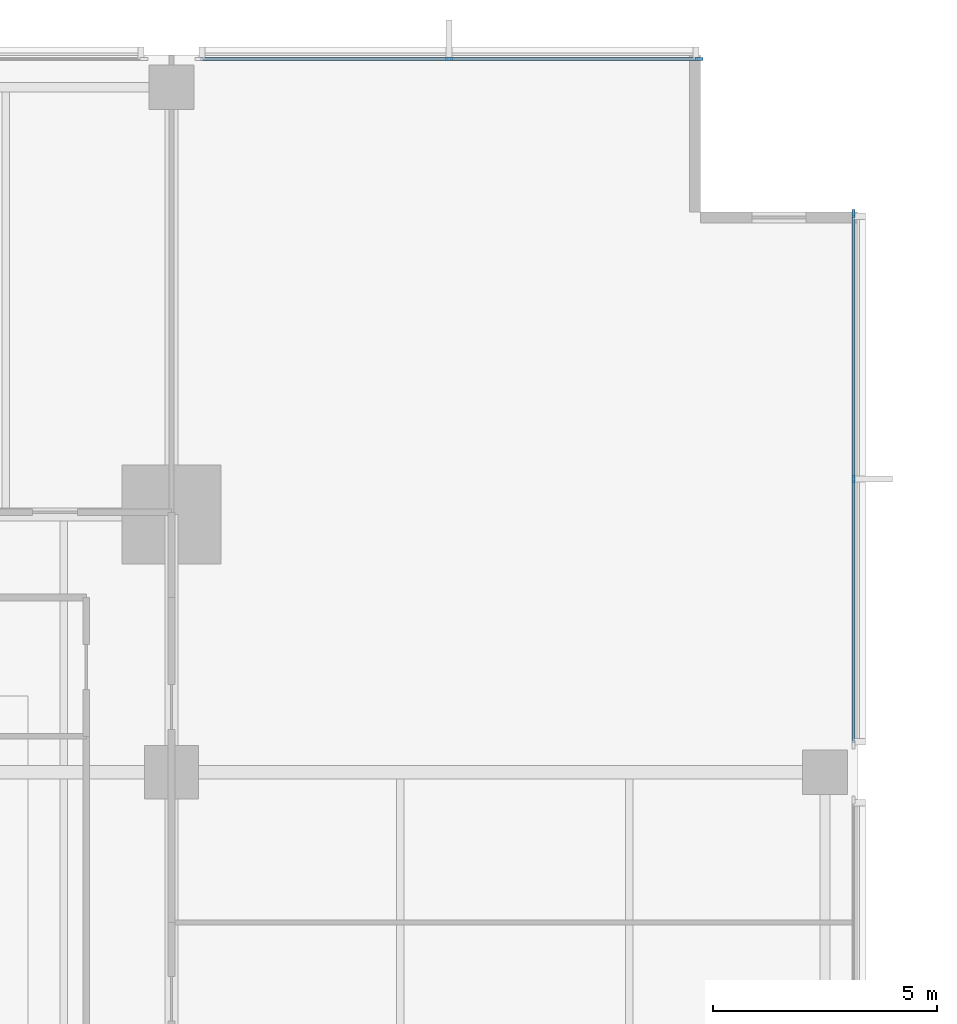
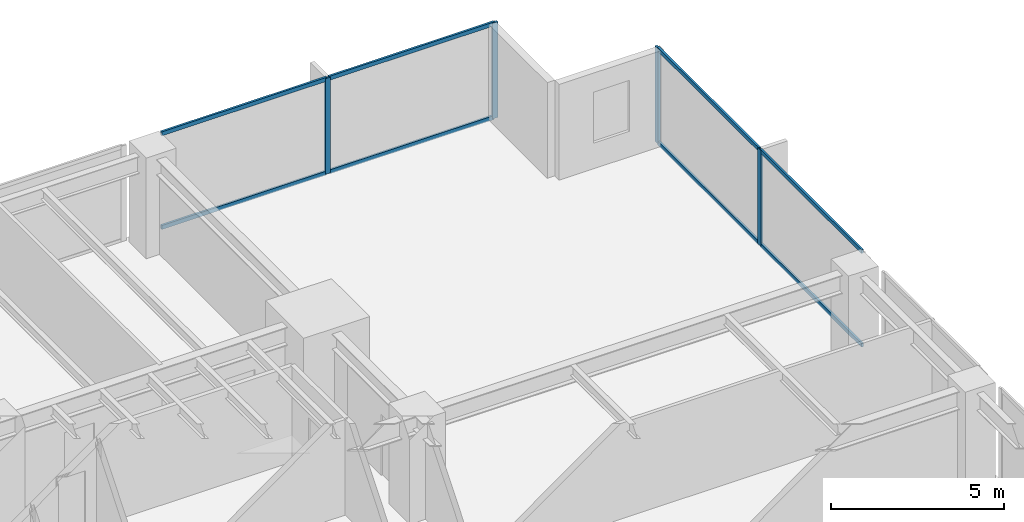
# One storey, part 6 of 15: 12 members, 2 elements without a shape of their own.
"""IFC4 building model written with IfcOpenShell, lengths in metres."""

import ifcopenshell
import ifcopenshell.guid

model = None  # the IFC model being written
_history = None  # IfcOwnerHistory: only IFC2X3 demands one
_inside = {}  # id of a spatial element -> (the spatial element, [elements in it])
_under = {}  # id of a project, library or spatial element -> (it, [spatial elements below it])
_declared = {}  # id of a project -> (the project, [libraries it declares])
_typed = {}  # id of a type object -> (the type object, [elements of that type])
_made_of = {}  # id of a material, layer set ... -> (it, [elements and type objects made of it])


def new_model(schema):
    """Start an empty IFC model of exactly this schema.

    Asked for "IFC4X3", IfcOpenShell would pick the latest addendum, in which some entities
    have other attributes; the version numbers below select the first issue.
    IFC2X3 requires an IfcOwnerHistory on every rooted entity: one is made here for all.
    """
    global model, _history
    if schema == "IFC4X3":
        model = ifcopenshell.file(schema_version=(4, 3, 0, 0))
    else:
        model = ifcopenshell.file(schema=schema)
    _inside.clear()
    _under.clear()
    _declared.clear()
    _typed.clear()
    _made_of.clear()
    _history = None
    if model.schema == "IFC2X3":
        org = make("IfcOrganization", Name="unknown")
        user = make(
            "IfcPersonAndOrganization",
            ThePerson=make("IfcPerson", FamilyName="unknown"),
            TheOrganization=org,
        )
        app = make(
            "IfcApplication",
            ApplicationDeveloper=org,
            Version="unknown",
            ApplicationFullName="unknown",
            ApplicationIdentifier="unknown",
        )
        _history = make(
            "IfcOwnerHistory",
            OwningUser=user,
            OwningApplication=app,
            ChangeAction="ADDED",
            CreationDate=0,
        )
    return model


def make(cls, **values):
    """One entity of the class cls with the attributes given. An attribute that is None is left unset."""
    return model.create_entity(
        cls, **{name: value for name, value in values.items() if value is not None}
    )


def rooted(cls, **values):
    """An entity with a GlobalId (a new one), such as an element, a storey or a relation."""
    return make(cls, GlobalId=ifcopenshell.guid.new(), OwnerHistory=_history, **values)


def si_unit(unit_type, name, prefix=None):
    """IfcSIUnit, for example si_unit("LENGTHUNIT", "METRE", prefix="MILLI")."""
    return make("IfcSIUnit", UnitType=unit_type, Prefix=prefix, Name=name)


def assignment(units):
    """IfcUnitAssignment: the units of a project."""
    return None if units is None else make("IfcUnitAssignment", Units=units)


def point(xyz):
    """IfcCartesianPoint."""
    return None if xyz is None else make("IfcCartesianPoint", Coordinates=xyz)


def direction(xyz):
    """IfcDirection."""
    return None if xyz is None else make("IfcDirection", DirectionRatios=xyz)


def frame(location, z_axis=None, x_axis=None):
    """IfcAxis2Placement3D, a coordinate frame: its origin and axes. An axis left out is left unset."""
    return make(
        "IfcAxis2Placement3D",
        Location=point(location),
        Axis=direction(z_axis),
        RefDirection=direction(x_axis),
    )


def frame_2d(location, x_axis=None):
    """IfcAxis2Placement2D, a coordinate frame in the plane: its origin and x axis."""
    return make(
        "IfcAxis2Placement2D", Location=point(location), RefDirection=direction(x_axis)
    )


def origin():
    """The frame at (0, 0, 0) with its axes left unset."""
    return frame((0.0, 0.0, 0.0))


def origin_2d():
    """The frame at (0, 0) in the plane with its x axis left unset."""
    return frame_2d((0.0, 0.0))


def place(relative_to, where):
    """IfcLocalPlacement: puts the frame where relative to a parent placement (None: the world)."""
    return make(
        "IfcLocalPlacement", PlacementRelTo=relative_to, RelativePlacement=where
    )


def context(
    kind, dimensions, precision=None, world=None, true_north=None, identifier=None
):
    """IfcGeometricRepresentationContext, for example the 3D "Model" context."""
    return make(
        "IfcGeometricRepresentationContext",
        ContextIdentifier=identifier,
        ContextType=kind,
        CoordinateSpaceDimension=dimensions,
        Precision=precision,
        WorldCoordinateSystem=world,
        TrueNorth=true_north,
    )


def subcontext(parent, identifier, kind, view, scale=None):
    """IfcGeometricRepresentationSubContext, for example "Body" below "Model"."""
    return make(
        "IfcGeometricRepresentationSubContext",
        ContextIdentifier=identifier,
        ContextType=kind,
        ParentContext=parent,
        TargetScale=scale,
        TargetView=view,
    )


def project(units=None, contexts=None):
    """IfcProject with its units and contexts."""
    return rooted(
        "IfcProject",
        Name="project",
        RepresentationContexts=contexts,
        UnitsInContext=assignment(units),
    )


def spatial(cls, under=None, at=None, **own):
    """A site, building, storey or space (cls), placed at a placement, below another one or the project."""
    s = rooted(cls, ObjectPlacement=at, **own)
    if under is not None:
        _under.setdefault(under.id(), (under, []))[1].append(s)
    return s


def profile(cls, at=None, kind="AREA", **sizes):
    """A parametric profile (cls). Its sizes go by their IFC names, for example OverallWidth=200.0."""
    return make(cls, ProfileType=kind, Position=at, **sizes)


def rectangle(**sizes):
    """IfcRectangleProfileDef."""
    return profile("IfcRectangleProfileDef", **sizes)


def extrude(swept, where, along, depth):
    """IfcExtrudedAreaSolid: the profile swept, set in the frame where, extruded along a direction by depth."""
    return make(
        "IfcExtrudedAreaSolid",
        SweptArea=swept,
        Position=where,
        ExtrudedDirection=direction(along),
        Depth=depth,
    )


def shape(context_of_items, identifier, shape_type, items):
    """IfcShapeRepresentation: the items that make up one representation, for example the "Body"."""
    return make(
        "IfcShapeRepresentation",
        ContextOfItems=context_of_items,
        RepresentationIdentifier=identifier,
        RepresentationType=shape_type,
        Items=items,
    )


def material(Name=None, Category=None):
    """IfcMaterial."""
    return make("IfcMaterial", Name=Name, Category=Category)


def layer(
    of_material, thickness, ventilated=None, Name=None, Category=None, Priority=None
):
    """IfcMaterialLayer: one layer of a wall or slab, of a material (None: an air gap)."""
    return make(
        "IfcMaterialLayer",
        Material=of_material,
        LayerThickness=thickness,
        IsVentilated=ventilated,
        Name=Name,
        Category=Category,
        Priority=Priority,
    )


def layer_set(layers, Name=None):
    """IfcMaterialLayerSet."""
    return make("IfcMaterialLayerSet", MaterialLayers=layers, LayerSetName=Name)


def material_profile(
    of_material, cross_section, Name=None, Category=None, Priority=None
):
    """IfcMaterialProfile: a cross section and its material."""
    return make(
        "IfcMaterialProfile",
        Name=Name,
        Material=of_material,
        Profile=cross_section,
        Priority=Priority,
        Category=Category,
    )


def profile_set(profiles, Name=None, composite=None):
    """IfcMaterialProfileSet."""
    return make(
        "IfcMaterialProfileSet",
        Name=Name,
        MaterialProfiles=profiles,
        CompositeProfile=composite,
    )


def made_of(thing, what):
    """Note that an element or type object is made of a material, layer set ...; save() writes the relation."""
    if what is not None:
        _made_of.setdefault(what.id(), (what, []))[1].append(thing)
    return thing


def type_object(cls, material=None, **own):
    """A type object (cls), such as IfcWallType, which elements share."""
    return made_of(rooted(cls, **own), material)


def element(
    cls,
    number,
    at=None,
    inside=None,
    cuts=None,
    type_object=None,
    material=None,
    context=None,
    identifier="Body",
    shape_type=None,
    held_by="IfcProductDefinitionShape",
    body=None,
    shapes=None,
    **own,
):
    """One element of the class cls, such as IfcWall. Its Tag is "e" and its number.

    at: its placement. inside: the storey or other place that contains it. cuts: it is an
    opening in that element (IfcRelVoidsElement). A single representation is given by context,
    identifier, shape_type and body (its items); several are given by shapes. held_by: the class
    of the entity that holds the representations. save() writes the other relations.
    """
    e = rooted(cls, Tag="e%d" % number, ObjectPlacement=at, **own)
    if body is not None:
        shapes = [shape(context, identifier, shape_type, body)]
    if shapes is not None:
        e.Representation = make(held_by, Representations=shapes)
    if inside is not None:
        _inside.setdefault(inside.id(), (inside, []))[1].append(e)
    if cuts is not None:
        rooted(
            "IfcRelVoidsElement", RelatingBuildingElement=cuts, RelatedOpeningElement=e
        )
    if type_object is not None:
        _typed.setdefault(type_object.id(), (type_object, []))[1].append(e)
    return made_of(e, material)


def aggregate(whole, parts):
    """IfcRelAggregates: a whole, such as a stair, and the parts it consists of."""
    return rooted("IfcRelAggregates", RelatingObject=whole, RelatedObjects=parts)


def save(model, path):
    """Write the relations noted so far, then the file.

    IfcRelAggregates (storeys below a building ...), IfcRelContainedInSpatialStructure (elements
    in a storey), IfcRelDefinesByType, IfcRelAssociatesMaterial and IfcRelDeclares: one each for
    every whole, place, type object, material and project.
    """
    for whole, parts in _under.values():
        aggregate(whole, parts)
    for where, things in _inside.values():
        rooted(
            "IfcRelContainedInSpatialStructure",
            RelatedElements=things,
            RelatingStructure=where,
        )
    for kind, things in _typed.values():
        rooted("IfcRelDefinesByType", RelatedObjects=things, RelatingType=kind)
    for what, things in _made_of.values():
        rooted("IfcRelAssociatesMaterial", RelatedObjects=things, RelatingMaterial=what)
    for by, libraries in _declared.values():
        rooted("IfcRelDeclares", RelatingContext=by, RelatedDefinitions=libraries)
    model.write(path)


model = new_model("IFC4")

# Units and contexts
model_context = context("Model", 3, precision=1e-05, world=origin(), true_north=direction((0.0, 1.0)))
body_context = subcontext(model_context, "Body", "Model", "MODEL_VIEW")
ifc_project = project(units=[si_unit("LENGTHUNIT", "METRE"), si_unit("AREAUNIT", "SQUARE_METRE"), si_unit("VOLUMEUNIT", "CUBIC_METRE"), si_unit("PLANEANGLEUNIT", "RADIAN"), si_unit("MASSUNIT", "GRAM", prefix="KILO")], contexts=[model_context])

# Site, building, storey
site_placement = place(None, origin())
site = spatial("IfcSite", under=ifc_project, at=site_placement, CompositionType="ELEMENT")
building_placement = place(site_placement, origin())
building = spatial("IfcBuilding", under=site, at=building_placement, Name="Kinhvarn Gate Tower", CompositionType="ELEMENT")
storey_placement = place(building_placement, frame((0.0, 0.0, 57.550048828125)))
storey = spatial("IfcBuildingStorey", under=building, at=storey_placement, Name="L14", CompositionType="ELEMENT", Elevation=57.550048828125)

# Curtain wall, members
ifc_material = material(Name="Anodised aluminium AW-6063", Category="aluminium")
ifc_layer = layer(ifc_material, 0.179931640625)
ifc_layer_set = layer_set([ifc_layer], Name="Anodised aluminium AW-6063")
curtain_wall_type = type_object("IfcCurtainWallType", Name="CW-SYS-2", PredefinedType="NOTDEFINED", material=ifc_layer_set)
curtain_wall_1_placement = place(storey_placement, origin())
curtain_wall_1 = element("IfcCurtainWall", 1, at=curtain_wall_1_placement, inside=storey, type_object=curtain_wall_type, Name="Curtain Wall CW2 (L14)", PredefinedType="NOTDEFINED")
ifc_material_profile_1 = material_profile(ifc_material, rectangle(XDim=0.070068359375, YDim=0.179931640625, at=origin_2d()), Name="ALU 70x180")
ifc_profile_set_1 = profile_set([ifc_material_profile_1], Name="Anodised aluminium AW-6063")
member_type_1 = type_object("IfcMemberType", Name="CW-MUL-180", PredefinedType="MULLION", material=ifc_profile_set_1)
member_1_placement = place(storey_placement, frame((49.965087890625, 47.909912109375, 0.0), z_axis=(0.0, 0.0, 1.0), x_axis=(0.0, -1.0, 0.0)))
member_1 = element("IfcMember", 2, at=member_1_placement, type_object=member_type_1, Name="CW2 mullion 1", PredefinedType="MULLION", context=body_context, shape_type="SweptSolid", body=[
    extrude(rectangle(XDim=0.070068359375, YDim=0.179931640625, at=origin_2d()), origin(), (0.0, 0.0, 1.0), 3.369873046875),
])
member_2_placement = place(storey_placement, frame((44.389892578125, 47.909912109375, 0.0), z_axis=(0.0, 0.0, 1.0), x_axis=(0.0, -1.0, 0.0)))
member_2 = element("IfcMember", 3, at=member_2_placement, type_object=member_type_1, Name="CW2 mullion 2", PredefinedType="MULLION", context=body_context, shape_type="SweptSolid", body=[
    extrude(rectangle(XDim=0.070068359375, YDim=0.179931640625, at=origin_2d()), origin(), (0.0, 0.0, 1.0), 3.369873046875),
])

curtain_wall_2_placement = place(storey_placement, origin())
curtain_wall_2 = element("IfcCurtainWall", 4, at=curtain_wall_2_placement, inside=storey, type_object=curtain_wall_type, Name="Curtain Wall CW2 (L14)", PredefinedType="NOTDEFINED")
member_3_placement = place(storey_placement, frame((53.409912109375, 38.5400390625, 0.0), z_axis=(0.0, 0.0, 1.0), x_axis=(-1.0, 0.0, 0.0)))
member_3 = element("IfcMember", 5, at=member_3_placement, type_object=member_type_1, Name="CW2 mullion 2", PredefinedType="MULLION", context=body_context, shape_type="SweptSolid", body=[
    extrude(rectangle(XDim=0.070068359375, YDim=0.179931640625, at=origin_2d()), origin(), (0.0, 0.0, 1.0), 3.369873046875),
])
member_4_placement = place(storey_placement, frame((53.409912109375, 44.465087890625, 0.0), z_axis=(0.0, 0.0, 1.0), x_axis=(-1.0, 0.0, 0.0)))
member_4 = element("IfcMember", 6, at=member_4_placement, type_object=member_type_1, Name="CW2 mullion 3", PredefinedType="MULLION", context=body_context, shape_type="SweptSolid", body=[
    extrude(rectangle(XDim=0.070068359375, YDim=0.179931640625, at=origin_2d()), origin(), (0.0, 0.0, 1.0), 3.369873046875),
])

# Member
ifc_material_profile_2 = material_profile(ifc_material, rectangle(XDim=0.070068359375, YDim=0.139892578125, at=origin_2d()), Name="ALU 70x140")
ifc_profile_set_2 = profile_set([ifc_material_profile_2], Name="Anodised aluminium AW-6063")
member_type_2 = type_object("IfcMemberType", Name="CW-TRN-140", PredefinedType="USERDEFINED", material=ifc_profile_set_2)
member_5_placement = place(storey_placement, frame((49.929931640625, 47.909912109375, 0.034912109375), z_axis=(-1.0, 0.0, 0.0), x_axis=(0.0, -1.0, 0.0)))
member_5 = element("IfcMember", 7, at=member_5_placement, type_object=member_type_2, Name="CW2 transom 1.1", ObjectType="TRANSOM", PredefinedType="USERDEFINED", context=body_context, shape_type="SweptSolid", body=[
    extrude(rectangle(XDim=0.070068359375, YDim=0.139892578125, at=origin_2d()), origin(), (0.0, 0.0, 1.0), 5.5048828125),
])

member_6_placement = place(storey_placement, frame((49.929931640625, 47.909912109375, 3.3349609375), z_axis=(-1.0, 0.0, 0.0), x_axis=(0.0, -1.0, 0.0)))
member_6 = element("IfcMember", 8, at=member_6_placement, type_object=member_type_2, Name="CW2 transom 1.2", ObjectType="TRANSOM", PredefinedType="USERDEFINED", context=body_context, shape_type="SweptSolid", body=[
    extrude(rectangle(XDim=0.070068359375, YDim=0.139892578125, at=origin_2d()), origin(), (0.0, 0.0, 1.0), 5.5048828125),
])

member_7_placement = place(storey_placement, frame((44.35498046875, 47.909912109375, 0.034912109375), z_axis=(-1.0, 0.0, 0.0), x_axis=(0.0, -1.0, 0.0)))
member_7 = element("IfcMember", 9, at=member_7_placement, type_object=member_type_2, Name="CW2 transom 2.1", ObjectType="TRANSOM", PredefinedType="USERDEFINED", context=body_context, shape_type="SweptSolid", body=[
    extrude(rectangle(XDim=0.070068359375, YDim=0.139892578125, at=origin_2d()), origin(), (0.0, 0.0, 1.0), 5.5048828125),
])

member_8_placement = place(storey_placement, frame((44.35498046875, 47.909912109375, 3.3349609375), z_axis=(-1.0, 0.0, 0.0), x_axis=(0.0, -1.0, 0.0)))
member_8 = element("IfcMember", 10, at=member_8_placement, type_object=member_type_2, Name="CW2 transom 2.2", ObjectType="TRANSOM", PredefinedType="USERDEFINED", context=body_context, shape_type="SweptSolid", body=[
    extrude(rectangle(XDim=0.070068359375, YDim=0.139892578125, at=origin_2d()), origin(), (0.0, 0.0, 1.0), 5.5048828125),
])

aggregate(curtain_wall_1, [member_1, member_2, member_5, member_6, member_7, member_8])

member_9_placement = place(storey_placement, frame((53.409912109375, 32.64990234375, 0.034912109375), z_axis=(0.0, 1.0, 0.0), x_axis=(-1.0, 0.0, 0.0)))
member_9 = element("IfcMember", 11, at=member_9_placement, type_object=member_type_2, Name="CW2 transom 1.1", ObjectType="TRANSOM", PredefinedType="USERDEFINED", context=body_context, shape_type="SweptSolid", body=[
    extrude(rectangle(XDim=0.070068359375, YDim=0.139892578125, at=origin_2d()), origin(), (0.0, 0.0, 1.0), 5.85498046875),
])

member_10_placement = place(storey_placement, frame((53.409912109375, 32.64990234375, 3.3349609375), z_axis=(0.0, 1.0, 0.0), x_axis=(-1.0, 0.0, 0.0)))
member_10 = element("IfcMember", 12, at=member_10_placement, type_object=member_type_2, Name="CW2 transom 1.2", ObjectType="TRANSOM", PredefinedType="USERDEFINED", context=body_context, shape_type="SweptSolid", body=[
    extrude(rectangle(XDim=0.070068359375, YDim=0.139892578125, at=origin_2d()), origin(), (0.0, 0.0, 1.0), 5.85498046875),
])

member_11_placement = place(storey_placement, frame((53.409912109375, 38.574951171875, 0.034912109375), z_axis=(0.0, 1.0, 0.0), x_axis=(-1.0, 0.0, 0.0)))
member_11 = element("IfcMember", 13, at=member_11_placement, type_object=member_type_2, Name="CW2 transom 2.1", ObjectType="TRANSOM", PredefinedType="USERDEFINED", context=body_context, shape_type="SweptSolid", body=[
    extrude(rectangle(XDim=0.070068359375, YDim=0.139892578125, at=origin_2d()), origin(), (0.0, 0.0, 1.0), 5.85498046875),
])

member_12_placement = place(storey_placement, frame((53.409912109375, 38.574951171875, 3.3349609375), z_axis=(0.0, 1.0, 0.0), x_axis=(-1.0, 0.0, 0.0)))
member_12 = element("IfcMember", 14, at=member_12_placement, type_object=member_type_2, Name="CW2 transom 2.2", ObjectType="TRANSOM", PredefinedType="USERDEFINED", context=body_context, shape_type="SweptSolid", body=[
    extrude(rectangle(XDim=0.070068359375, YDim=0.139892578125, at=origin_2d()), origin(), (0.0, 0.0, 1.0), 5.85498046875),
])

aggregate(curtain_wall_2, [member_3, member_4, member_9, member_10, member_11, member_12])

save(model, "model.ifc")
